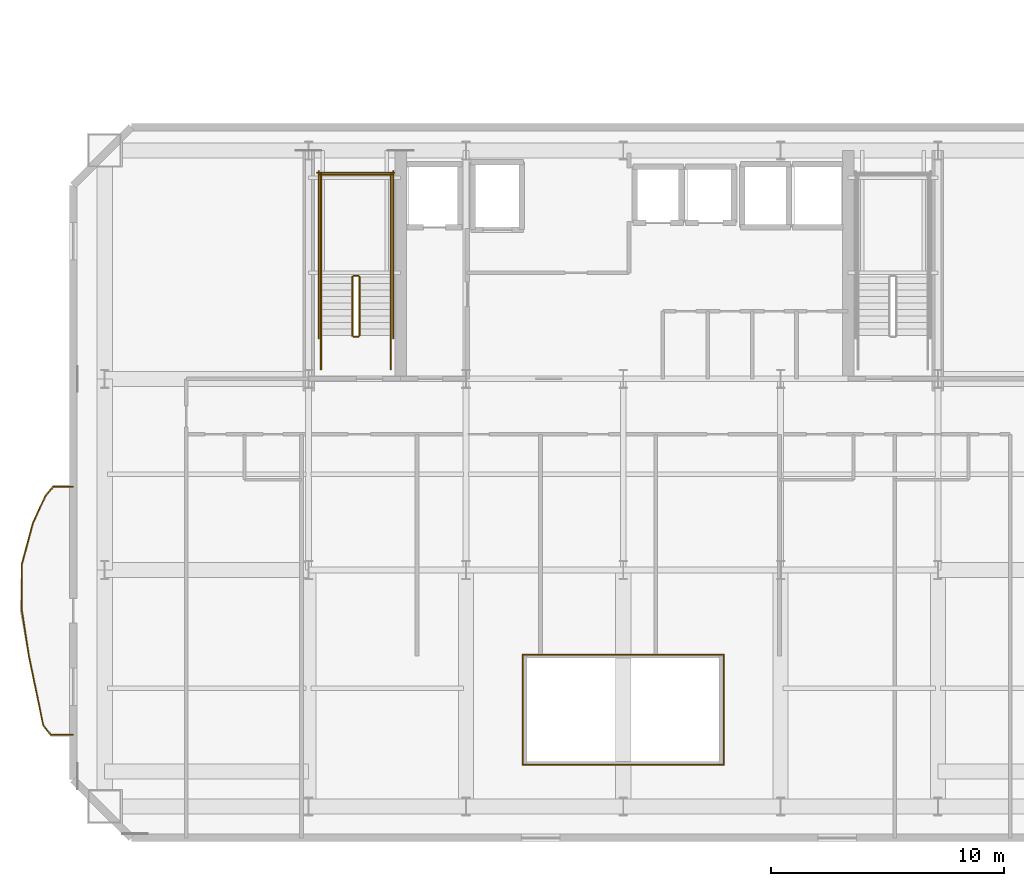
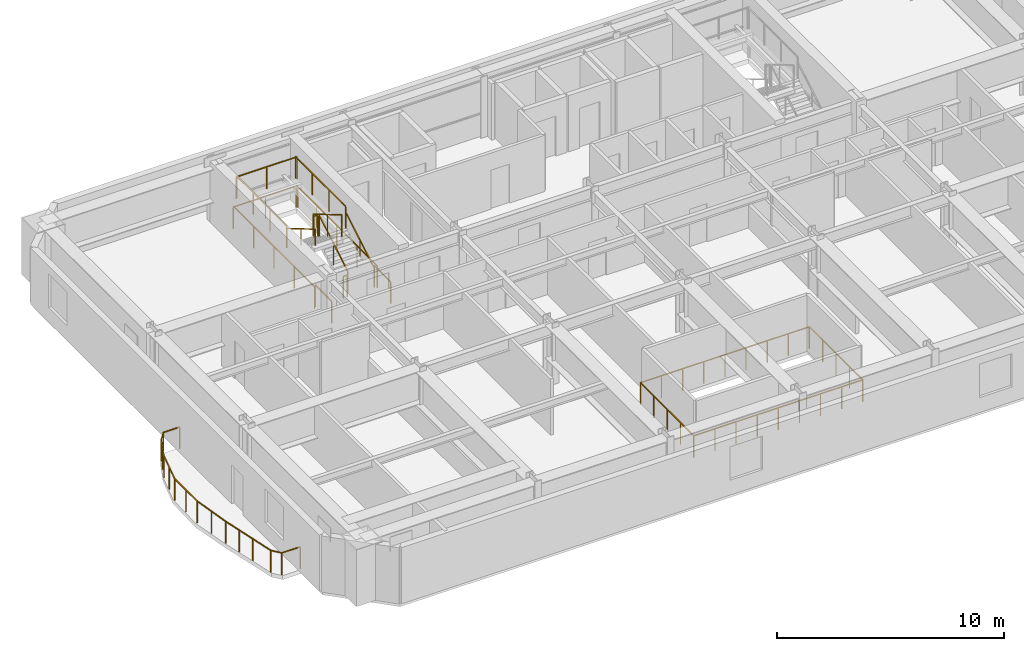
# One storey, part 12 of 15: 28 railings.
"""IFC4 building model written with IfcOpenShell, lengths in metres."""

from ifc_helpers import new_model, si_unit, direction, frame, origin, origin_2d, place, context, subcontext, project, spatial, rectangle, extrude, material, type_object, element, save


model = new_model("IFC4")

# Units and contexts
model_context = context("Model", 3, precision=1e-05, world=origin(), true_north=direction((0.0, 1.0)))
body_context = subcontext(model_context, "Body", "Model", "MODEL_VIEW")
ifc_project = project(units=[si_unit("LENGTHUNIT", "METRE"), si_unit("AREAUNIT", "SQUARE_METRE"), si_unit("VOLUMEUNIT", "CUBIC_METRE"), si_unit("PLANEANGLEUNIT", "RADIAN"), si_unit("MASSUNIT", "GRAM", prefix="KILO")], contexts=[model_context])

# Site, building, storey
site_placement = place(None, origin())
site = spatial("IfcSite", under=ifc_project, at=site_placement, CompositionType="ELEMENT")
building_placement = place(site_placement, origin())
building = spatial("IfcBuilding", under=site, at=building_placement, Name="Haevon Station Towers", CompositionType="ELEMENT")
storey_placement = place(building_placement, frame((0.0, 0.0, 109.800048828125)))
storey = spatial("IfcBuildingStorey", under=building, at=storey_placement, Name="L29", CompositionType="ELEMENT", Elevation=109.800048828125)

# Railings
ifc_material = material(Name="Steel S355", Category="steel")
railing_type_1 = type_object("IfcRailingType", Name="BAL-ATR1200", PredefinedType="BALUSTRADE", material=ifc_material)
railing_1_placement = place(storey_placement, frame((33.19482421875, 21.642333984375, 0.0)))
element("IfcRailing", 1, at=railing_1_placement, inside=storey, type_object=railing_type_1, Name="L29 Atrium Void Balustrade 1", PredefinedType="BALUSTRADE", context=body_context, shape_type="SweptSolid", body=[
    extrude(rectangle(XDim=0.048095703125, YDim=0.048095703125, at=origin_2d()), frame((0.0, 0.0, 1.17578125), z_axis=(1.0, 0.0, 0.0), x_axis=(0.0, 1.0, 0.0)), (0.0, 0.0, 1.0), 8.6103515625),
    extrude(rectangle(XDim=0.0419921875, YDim=0.0419921875, at=origin_2d()), origin(), (0.0, 0.0, 1.0), 1.15185546875),
    extrude(rectangle(XDim=0.0419921875, YDim=0.0419921875, at=origin_2d()), frame((1.076171875, 0.0, 0.0)), (0.0, 0.0, 1.0), 1.15185546875),
    extrude(rectangle(XDim=0.0419921875, YDim=0.0419921875, at=origin_2d()), frame((2.152587890625, 0.0, 0.0)), (0.0, 0.0, 1.0), 1.15185546875),
    extrude(rectangle(XDim=0.0419921875, YDim=0.0419921875, at=origin_2d()), frame((3.22900390625, 0.0, 0.0)), (0.0, 0.0, 1.0), 1.15185546875),
    extrude(rectangle(XDim=0.0419921875, YDim=0.0419921875, at=origin_2d()), frame((4.30517578125, 0.0, 0.0)), (0.0, 0.0, 1.0), 1.15185546875),
    extrude(rectangle(XDim=0.0419921875, YDim=0.0419921875, at=origin_2d()), frame((5.38134765625, 0.0, 0.0)), (0.0, 0.0, 1.0), 1.15185546875),
    extrude(rectangle(XDim=0.0419921875, YDim=0.0419921875, at=origin_2d()), frame((6.457763671875, 0.0, 0.0)), (0.0, 0.0, 1.0), 1.15185546875),
    extrude(rectangle(XDim=0.0419921875, YDim=0.0419921875, at=origin_2d()), frame((7.5341796875, 0.0, 0.0)), (0.0, 0.0, 1.0), 1.15185546875),
    extrude(rectangle(XDim=0.0419921875, YDim=0.0419921875, at=origin_2d()), frame((8.6103515625, 0.0, 0.0)), (0.0, 0.0, 1.0), 1.15185546875),
])
railing_2_placement = place(storey_placement, frame((41.80517578125, 21.642333984375, 0.0)))
element("IfcRailing", 2, at=railing_2_placement, inside=storey, type_object=railing_type_1, Name="L29 Atrium Void Balustrade 2", PredefinedType="BALUSTRADE", context=body_context, shape_type="SweptSolid", body=[
    extrude(rectangle(XDim=0.048095703125, YDim=0.048095703125, at=origin_2d()), frame((0.0, 0.0, 1.17578125), z_axis=(0.0, 1.0, 0.0), x_axis=(-1.0, 0.0, 0.0)), (0.0, 0.0, 1.0), 4.71533203125),
    extrude(rectangle(XDim=0.0419921875, YDim=0.0419921875, at=origin_2d()), origin(), (0.0, 0.0, 1.0), 1.15185546875),
    extrude(rectangle(XDim=0.0419921875, YDim=0.0419921875, at=origin_2d()), frame((0.0, 1.1787109375, 0.0)), (0.0, 0.0, 1.0), 1.15185546875),
    extrude(rectangle(XDim=0.0419921875, YDim=0.0419921875, at=origin_2d()), frame((0.0, 2.357666015625, 0.0)), (0.0, 0.0, 1.0), 1.15185546875),
    extrude(rectangle(XDim=0.0419921875, YDim=0.0419921875, at=origin_2d()), frame((0.0, 3.53662109375, 0.0)), (0.0, 0.0, 1.0), 1.15185546875),
    extrude(rectangle(XDim=0.0419921875, YDim=0.0419921875, at=origin_2d()), frame((0.0, 4.71533203125, 0.0)), (0.0, 0.0, 1.0), 1.15185546875),
])
railing_3_placement = place(storey_placement, frame((41.80517578125, 26.357666015625, 0.0)))
element("IfcRailing", 3, at=railing_3_placement, inside=storey, type_object=railing_type_1, Name="L29 Atrium Void Balustrade 3", PredefinedType="BALUSTRADE", context=body_context, shape_type="SweptSolid", body=[
    extrude(rectangle(XDim=0.048095703125, YDim=0.048095703125, at=origin_2d()), frame((0.0, 0.0, 1.17578125), z_axis=(-1.0, 0.0, 0.0), x_axis=(0.0, -1.0, 0.0)), (0.0, 0.0, 1.0), 8.6103515625),
    extrude(rectangle(XDim=0.0419921875, YDim=0.0419921875, at=origin_2d()), origin(), (0.0, 0.0, 1.0), 1.15185546875),
    extrude(rectangle(XDim=0.0419921875, YDim=0.0419921875, at=origin_2d()), frame((-1.076171875, 0.0, 0.0)), (0.0, 0.0, 1.0), 1.15185546875),
    extrude(rectangle(XDim=0.0419921875, YDim=0.0419921875, at=origin_2d()), frame((-2.152587890625, 0.0, 0.0)), (0.0, 0.0, 1.0), 1.15185546875),
    extrude(rectangle(XDim=0.0419921875, YDim=0.0419921875, at=origin_2d()), frame((-3.22900390625, 0.0, 0.0)), (0.0, 0.0, 1.0), 1.15185546875),
    extrude(rectangle(XDim=0.0419921875, YDim=0.0419921875, at=origin_2d()), frame((-4.30517578125, 0.0, 0.0)), (0.0, 0.0, 1.0), 1.15185546875),
    extrude(rectangle(XDim=0.0419921875, YDim=0.0419921875, at=origin_2d()), frame((-5.38134765625, 0.0, 0.0)), (0.0, 0.0, 1.0), 1.15185546875),
    extrude(rectangle(XDim=0.0419921875, YDim=0.0419921875, at=origin_2d()), frame((-6.457763671875, 0.0, 0.0)), (0.0, 0.0, 1.0), 1.15185546875),
    extrude(rectangle(XDim=0.0419921875, YDim=0.0419921875, at=origin_2d()), frame((-7.5341796875, 0.0, 0.0)), (0.0, 0.0, 1.0), 1.15185546875),
    extrude(rectangle(XDim=0.0419921875, YDim=0.0419921875, at=origin_2d()), frame((-8.6103515625, 0.0, 0.0)), (0.0, 0.0, 1.0), 1.15185546875),
])
railing_4_placement = place(storey_placement, frame((33.19482421875, 26.357666015625, 0.0)))
element("IfcRailing", 4, at=railing_4_placement, inside=storey, type_object=railing_type_1, Name="L29 Atrium Void Balustrade 4", PredefinedType="BALUSTRADE", context=body_context, shape_type="SweptSolid", body=[
    extrude(rectangle(XDim=0.048095703125, YDim=0.048095703125, at=origin_2d()), frame((0.0, 0.0, 1.17578125), z_axis=(0.0, -1.0, 0.0), x_axis=(1.0, 0.0, 0.0)), (0.0, 0.0, 1.0), 4.71533203125),
    extrude(rectangle(XDim=0.0419921875, YDim=0.0419921875, at=origin_2d()), origin(), (0.0, 0.0, 1.0), 1.15185546875),
    extrude(rectangle(XDim=0.0419921875, YDim=0.0419921875, at=origin_2d()), frame((0.0, -1.1787109375, 0.0)), (0.0, 0.0, 1.0), 1.15185546875),
    extrude(rectangle(XDim=0.0419921875, YDim=0.0419921875, at=origin_2d()), frame((0.0, -2.357666015625, 0.0)), (0.0, 0.0, 1.0), 1.15185546875),
    extrude(rectangle(XDim=0.0419921875, YDim=0.0419921875, at=origin_2d()), frame((0.0, -3.53662109375, 0.0)), (0.0, 0.0, 1.0), 1.15185546875),
    extrude(rectangle(XDim=0.0419921875, YDim=0.0419921875, at=origin_2d()), frame((0.0, -4.71533203125, 0.0)), (0.0, 0.0, 1.0), 1.15185546875),
])
railing_type_2 = type_object("IfcRailingType", Name="GRD-EXT1200", PredefinedType="GUARDRAIL", material=ifc_material)
railing_5_placement = place(storey_placement, frame((13.876708984375, 33.572021484375, 0.0)))
element("IfcRailing", 5, at=railing_5_placement, inside=storey, type_object=railing_type_2, Name="L29 Perimeter Guardrail 1", PredefinedType="GUARDRAIL", context=body_context, shape_type="SweptSolid", body=[
    extrude(rectangle(XDim=0.048095703125, YDim=0.048095703125, at=origin_2d()), frame((0.0, 0.0, 1.17578125), z_axis=(-0.999997919967, -0.002039622797, 0.0), x_axis=(0.002039622797, -0.999997919967, 0.0)), (0.0, 0.0, 1.0), 0.837890625),
    extrude(rectangle(XDim=0.0419921875, YDim=0.0419921875, at=origin_2d()), origin(), (0.0, 0.0, 1.0), 1.15185546875),
    extrude(rectangle(XDim=0.0419921875, YDim=0.0419921875, at=origin_2d()), frame((-0.837890625, -0.001708984375, 0.0)), (0.0, 0.0, 1.0), 1.15185546875),
])
railing_6_placement = place(storey_placement, frame((13.038818359375, 33.5703125, 0.0)))
element("IfcRailing", 6, at=railing_6_placement, inside=storey, type_object=railing_type_2, Name="L29 Perimeter Guardrail 2", PredefinedType="GUARDRAIL", context=body_context, shape_type="SweptSolid", body=[
    extrude(rectangle(XDim=0.048095703125, YDim=0.048095703125, at=origin_2d()), frame((0.0, 0.0, 1.17578125), z_axis=(-0.639870328751, -0.768482896611, 0.0), x_axis=(0.768482896611, -0.639870328751, 0.0)), (0.0, 0.0, 1.0), 0.535400390625),
    extrude(rectangle(XDim=0.0419921875, YDim=0.0419921875, at=origin_2d()), origin(), (0.0, 0.0, 1.0), 1.15185546875),
    extrude(rectangle(XDim=0.0419921875, YDim=0.0419921875, at=origin_2d()), frame((-0.342529296875, -0.411376953125, 0.0)), (0.0, 0.0, 1.0), 1.15185546875),
])
railing_7_placement = place(storey_placement, frame((12.6962890625, 33.158935546875, 0.0)))
element("IfcRailing", 7, at=railing_7_placement, inside=storey, type_object=railing_type_2, Name="L29 Perimeter Guardrail 3", PredefinedType="GUARDRAIL", context=body_context, shape_type="SweptSolid", body=[
    extrude(rectangle(XDim=0.048095703125, YDim=0.048095703125, at=origin_2d()), frame((0.0, 0.0, 1.17578125), z_axis=(-0.415661077418, -0.909519581273, 0.0), x_axis=(0.909519581273, -0.415661077418, 0.0)), (0.0, 0.0, 1.0), 1.286376953125),
    extrude(rectangle(XDim=0.0419921875, YDim=0.0419921875, at=origin_2d()), origin(), (0.0, 0.0, 1.0), 1.15185546875),
    extrude(rectangle(XDim=0.0419921875, YDim=0.0419921875, at=origin_2d()), frame((-0.267333984375, -0.5849609375, 0.0)), (0.0, 0.0, 1.0), 1.15185546875),
    extrude(rectangle(XDim=0.0419921875, YDim=0.0419921875, at=origin_2d()), frame((-0.53466796875, -1.169921875, 0.0)), (0.0, 0.0, 1.0), 1.15185546875),
])
railing_8_placement = place(storey_placement, frame((12.16162109375, 31.989013671875, 0.0)))
element("IfcRailing", 8, at=railing_8_placement, inside=storey, type_object=railing_type_2, Name="L29 Perimeter Guardrail 4", PredefinedType="GUARDRAIL", context=body_context, shape_type="SweptSolid", body=[
    extrude(rectangle(XDim=0.048095703125, YDim=0.048095703125, at=origin_2d()), frame((0.0, 0.0, 1.17578125), z_axis=(-0.257140906123, -0.966373920591, 0.0), x_axis=(0.966373920591, -0.257140906123, 0.0)), (0.0, 0.0, 1.0), 1.805908203125),
    extrude(rectangle(XDim=0.0419921875, YDim=0.0419921875, at=origin_2d()), origin(), (0.0, 0.0, 1.0), 1.15185546875),
    extrude(rectangle(XDim=0.0419921875, YDim=0.0419921875, at=origin_2d()), frame((-0.232177734375, -0.87255859375, 0.0)), (0.0, 0.0, 1.0), 1.15185546875),
    extrude(rectangle(XDim=0.0419921875, YDim=0.0419921875, at=origin_2d()), frame((-0.46435546875, -1.7451171875, 0.0)), (0.0, 0.0, 1.0), 1.15185546875),
])
railing_9_placement = place(storey_placement, frame((11.697265625, 30.243896484375, 0.0)))
element("IfcRailing", 9, at=railing_9_placement, inside=storey, type_object=railing_type_2, Name="L29 Perimeter Guardrail 5", PredefinedType="GUARDRAIL", context=body_context, shape_type="SweptSolid", body=[
    extrude(rectangle(XDim=0.048095703125, YDim=0.048095703125, at=origin_2d()), frame((0.0, 0.0, 1.17578125), z_axis=(-0.000857107558, -0.999999632683, 0.0), x_axis=(0.999999632683, -0.000857107558, 0.0)), (0.0, 0.0, 1.0), 1.993896484375),
    extrude(rectangle(XDim=0.0419921875, YDim=0.0419921875, at=origin_2d()), origin(), (0.0, 0.0, 1.0), 1.15185546875),
    extrude(rectangle(XDim=0.0419921875, YDim=0.0419921875, at=origin_2d()), frame((-0.0009765625, -0.9970703125, 0.0)), (0.0, 0.0, 1.0), 1.15185546875),
    extrude(rectangle(XDim=0.0419921875, YDim=0.0419921875, at=origin_2d()), frame((-0.001708984375, -1.993896484375, 0.0)), (0.0, 0.0, 1.0), 1.15185546875),
])
railing_10_placement = place(storey_placement, frame((11.695556640625, 28.25, 0.0)))
element("IfcRailing", 10, at=railing_10_placement, inside=storey, type_object=railing_type_2, Name="L29 Perimeter Guardrail 6", PredefinedType="GUARDRAIL", context=body_context, shape_type="SweptSolid", body=[
    extrude(rectangle(XDim=0.048095703125, YDim=0.048095703125, at=origin_2d()), frame((0.0, 0.0, 1.17578125), z_axis=(0.153359781656, -0.988170419194, 0.0), x_axis=(0.988170419194, 0.153359781656, 0.0)), (0.0, 0.0, 1.0), 2.013916015625),
    extrude(rectangle(XDim=0.0419921875, YDim=0.0419921875, at=origin_2d()), origin(), (0.0, 0.0, 1.0), 1.15185546875),
    extrude(rectangle(XDim=0.0419921875, YDim=0.0419921875, at=origin_2d()), frame((0.154296875, -0.9951171875, 0.0)), (0.0, 0.0, 1.0), 1.15185546875),
    extrude(rectangle(XDim=0.0419921875, YDim=0.0419921875, at=origin_2d()), frame((0.308837890625, -1.989990234375, 0.0)), (0.0, 0.0, 1.0), 1.15185546875),
])
railing_11_placement = place(storey_placement, frame((12.00439453125, 26.260009765625, 0.0)))
element("IfcRailing", 11, at=railing_11_placement, inside=storey, type_object=railing_type_2, Name="L29 Perimeter Guardrail 7", PredefinedType="GUARDRAIL", context=body_context, shape_type="SweptSolid", body=[
    extrude(rectangle(XDim=0.048095703125, YDim=0.048095703125, at=origin_2d()), frame((0.0, 0.0, 1.17578125), z_axis=(0.203550270134, -0.979064496103, 0.0), x_axis=(0.979064496103, 0.203550270134, 0.0)), (0.0, 0.0, 1.0), 1.785888671875),
    extrude(rectangle(XDim=0.0419921875, YDim=0.0419921875, at=origin_2d()), origin(), (0.0, 0.0, 1.0), 1.15185546875),
    extrude(rectangle(XDim=0.0419921875, YDim=0.0419921875, at=origin_2d()), frame((0.181640625, -0.874267578125, 0.0)), (0.0, 0.0, 1.0), 1.15185546875),
    extrude(rectangle(XDim=0.0419921875, YDim=0.0419921875, at=origin_2d()), frame((0.363525390625, -1.74853515625, 0.0)), (0.0, 0.0, 1.0), 1.15185546875),
])
railing_12_placement = place(storey_placement, frame((12.367919921875, 24.511474609375, 0.0)))
element("IfcRailing", 12, at=railing_12_placement, inside=storey, type_object=railing_type_2, Name="L29 Perimeter Guardrail 8", PredefinedType="GUARDRAIL", context=body_context, shape_type="SweptSolid", body=[
    extrude(rectangle(XDim=0.048095703125, YDim=0.048095703125, at=origin_2d()), frame((0.0, 0.0, 1.17578125), z_axis=(0.202044874071, -0.979376265213, 0.0), x_axis=(0.979376265213, 0.202044874071, 0.0)), (0.0, 0.0, 1.0), 1.195068359375),
    extrude(rectangle(XDim=0.0419921875, YDim=0.0419921875, at=origin_2d()), origin(), (0.0, 0.0, 1.0), 1.15185546875),
    extrude(rectangle(XDim=0.0419921875, YDim=0.0419921875, at=origin_2d()), frame((0.241455078125, -1.17041015625, 0.0)), (0.0, 0.0, 1.0), 1.15185546875),
])
railing_13_placement = place(storey_placement, frame((12.609375, 23.341064453125, 0.0)))
element("IfcRailing", 13, at=railing_13_placement, inside=storey, type_object=railing_type_2, Name="L29 Perimeter Guardrail 9", PredefinedType="GUARDRAIL", context=body_context, shape_type="SweptSolid", body=[
    extrude(rectangle(XDim=0.048095703125, YDim=0.048095703125, at=origin_2d()), frame((0.0, 0.0, 1.17578125), z_axis=(0.618645401959, -0.785670329486, 0.0), x_axis=(0.785670329486, 0.618645401959, 0.0)), (0.0, 0.0, 1.0), 0.523193359375),
    extrude(rectangle(XDim=0.0419921875, YDim=0.0419921875, at=origin_2d()), origin(), (0.0, 0.0, 1.0), 1.15185546875),
    extrude(rectangle(XDim=0.0419921875, YDim=0.0419921875, at=origin_2d()), frame((0.32373046875, -0.4111328125, 0.0)), (0.0, 0.0, 1.0), 1.15185546875),
])
railing_14_placement = place(storey_placement, frame((12.93310546875, 22.929931640625, 0.0)))
element("IfcRailing", 14, at=railing_14_placement, inside=storey, type_object=railing_type_2, Name="L29 Perimeter Guardrail 10", PredefinedType="GUARDRAIL", context=body_context, shape_type="SweptSolid", body=[
    extrude(rectangle(XDim=0.048095703125, YDim=0.048095703125, at=origin_2d()), frame((0.0, 0.0, 1.17578125), z_axis=(0.999997857851, -0.002069853263, 0.0), x_axis=(0.002069853263, 0.999997857851, 0.0)), (0.0, 0.0, 1.0), 0.943603515625),
    extrude(rectangle(XDim=0.0419921875, YDim=0.0419921875, at=origin_2d()), origin(), (0.0, 0.0, 1.0), 1.15185546875),
    extrude(rectangle(XDim=0.0419921875, YDim=0.0419921875, at=origin_2d()), frame((0.943603515625, -0.001953125, 0.0)), (0.0, 0.0, 1.0), 1.15185546875),
])
railing_type_3 = type_object("IfcRailingType", Name="GRD-STR1200", PredefinedType="GUARDRAIL", material=ifc_material)
railing_15_placement = place(storey_placement, frame((26.179931640625, 40.050048828125, 0.1650390625)))
element("IfcRailing", 15, at=railing_15_placement, inside=storey, type_object=railing_type_3, Name="L29 ST1 Stair Guard 1", PredefinedType="GUARDRAIL", context=body_context, shape_type="SweptSolid", body=[
    extrude(rectangle(XDim=0.048095703125, YDim=0.048095703125, at=origin_2d()), frame((0.0, 0.0, 1.17578125), z_axis=(0.0, 0.861560626758, 0.507654692109), x_axis=(-1.0, 0.0, 0.0)), (0.0, 0.0, 1.0), 2.925048828125),
    extrude(rectangle(XDim=0.0419921875, YDim=0.0419921875, at=origin_2d()), origin(), (0.0, 0.0, 1.0), 1.15185546875),
    extrude(rectangle(XDim=0.0419921875, YDim=0.0419921875, at=origin_2d()), frame((0.0, 1.260009765625, 0.742431640625)), (0.0, 0.0, 1.0), 1.15185546875),
    extrude(rectangle(XDim=0.0419921875, YDim=0.0419921875, at=origin_2d()), frame((0.0, 2.52001953125, 1.48486328125)), (0.0, 0.0, 1.0), 1.15185546875),
])
railing_16_placement = place(storey_placement, frame((26.1298828125, 42.6201171875, 1.64990234375)))
element("IfcRailing", 16, at=railing_16_placement, inside=storey, type_object=railing_type_3, Name="L29 ST1 Stair Guard 2", PredefinedType="GUARDRAIL", context=body_context, shape_type="SweptSolid", body=[
    extrude(rectangle(XDim=0.048095703125, YDim=0.048095703125, at=origin_2d()), frame((0.0, 0.0, 1.17578125), z_axis=(-1.0, 0.0, 0.0), x_axis=(0.0, -1.0, 0.0)), (0.0, 0.0, 1.0), 0.199951171875),
    extrude(rectangle(XDim=0.0419921875, YDim=0.0419921875, at=origin_2d()), origin(), (0.0, 0.0, 1.0), 1.15185546875),
    extrude(rectangle(XDim=0.0419921875, YDim=0.0419921875, at=origin_2d()), frame((-0.199951171875, 0.0, 0.0)), (0.0, 0.0, 1.0), 1.15185546875),
])
for number, where, name in (
    (17, (27.530029296875, 42.570068359375, 1.64990234375), "L29 ST1 Stair Guard 3"),
    (18, (24.530029296875, 42.570068359375, 1.64990234375), "L29 ST1 Stair Guard 4"),
):
    element("IfcRailing", number, at=place(storey_placement, frame(where)), inside=storey, type_object=railing_type_3, Name=name, PredefinedType="GUARDRAIL", context=body_context, shape_type="SweptSolid", body=[
        extrude(rectangle(XDim=0.048095703125, YDim=0.048095703125, at=origin_2d()), frame((0.0, 0.0, 1.17578125), z_axis=(0.0, 1.0, 0.0), x_axis=(-1.0, 0.0, 0.0)), (0.0, 0.0, 1.0), 4.429931640625),
        extrude(rectangle(XDim=0.0419921875, YDim=0.0419921875, at=origin_2d()), origin(), (0.0, 0.0, 1.0), 1.15185546875),
        extrude(rectangle(XDim=0.0419921875, YDim=0.0419921875, at=origin_2d()), frame((0.0, 1.4765625, 0.0)), (0.0, 0.0, 1.0), 1.15185546875),
        extrude(rectangle(XDim=0.0419921875, YDim=0.0419921875, at=origin_2d()), frame((0.0, 2.953369140625, 0.0)), (0.0, 0.0, 1.0), 1.15185546875),
        extrude(rectangle(XDim=0.0419921875, YDim=0.0419921875, at=origin_2d()), frame((0.0, 4.429931640625, 0.0)), (0.0, 0.0, 1.0), 1.15185546875),
    ])
railing_17_placement = place(storey_placement, frame((27.580078125, 46.949951171875, 1.64990234375)))
element("IfcRailing", 19, at=railing_17_placement, inside=storey, type_object=railing_type_3, Name="L29 ST1 Stair Guard 5", PredefinedType="GUARDRAIL", context=body_context, shape_type="SweptSolid", body=[
    extrude(rectangle(XDim=0.048095703125, YDim=0.048095703125, at=origin_2d()), frame((0.0, 0.0, 1.17578125), z_axis=(-1.0, 0.0, 0.0), x_axis=(0.0, -1.0, 0.0)), (0.0, 0.0, 1.0), 3.10009765625),
    extrude(rectangle(XDim=0.0419921875, YDim=0.0419921875, at=origin_2d()), origin(), (0.0, 0.0, 1.0), 1.15185546875),
    extrude(rectangle(XDim=0.0419921875, YDim=0.0419921875, at=origin_2d()), frame((-1.550048828125, 0.0, 0.0)), (0.0, 0.0, 1.0), 1.15185546875),
    extrude(rectangle(XDim=0.0419921875, YDim=0.0419921875, at=origin_2d()), frame((-3.10009765625, 0.0, 0.0)), (0.0, 0.0, 1.0), 1.15185546875),
])
railing_18_placement = place(storey_placement, frame((25.8798828125, 42.570068359375, 1.81494140625)))
element("IfcRailing", 20, at=railing_18_placement, inside=storey, type_object=railing_type_3, Name="L29 ST1 Stair Guard 6", PredefinedType="GUARDRAIL", context=body_context, shape_type="SweptSolid", body=[
    extrude(rectangle(XDim=0.048095703125, YDim=0.048095703125, at=origin_2d()), frame((0.0, 0.0, 1.17578125), z_axis=(0.0, -0.86152411907, 0.507716645641), x_axis=(1.0, 0.0, 0.0)), (0.0, 0.0, 1.0), 2.925048828125),
    extrude(rectangle(XDim=0.0419921875, YDim=0.0419921875, at=origin_2d()), origin(), (0.0, 0.0, 1.0), 1.15185546875),
    extrude(rectangle(XDim=0.0419921875, YDim=0.0419921875, at=origin_2d()), frame((0.0, -1.260009765625, 0.74267578125)), (0.0, 0.0, 1.0), 1.15185546875),
    extrude(rectangle(XDim=0.0419921875, YDim=0.0419921875, at=origin_2d()), frame((0.0, -2.52001953125, 1.485107421875)), (0.0, 0.0, 1.0), 1.15185546875),
])
railing_19_placement = place(storey_placement, frame((26.1298828125, 40.0, 0.0)))
element("IfcRailing", 21, at=railing_19_placement, inside=storey, type_object=railing_type_3, Name="L29 ST1 Stair Guard 7", PredefinedType="GUARDRAIL", context=body_context, shape_type="SweptSolid", body=[
    extrude(rectangle(XDim=0.048095703125, YDim=0.048095703125, at=origin_2d()), frame((0.0, 0.0, 1.17578125), z_axis=(-1.0, 0.0, 0.0), x_axis=(0.0, -1.0, 0.0)), (0.0, 0.0, 1.0), 0.199951171875),
    extrude(rectangle(XDim=0.0419921875, YDim=0.0419921875, at=origin_2d()), origin(), (0.0, 0.0, 1.0), 1.15185546875),
    extrude(rectangle(XDim=0.0419921875, YDim=0.0419921875, at=origin_2d()), frame((-0.199951171875, 0.0, 0.0)), (0.0, 0.0, 1.0), 1.15185546875),
])
for number, where, name in (
    (22, (27.530029296875, 38.60009765625, 0.0), "L29 ST1 Stair Guard 8"),
    (23, (24.530029296875, 38.60009765625, 0.0), "L29 ST1 Stair Guard 9"),
):
    element("IfcRailing", number, at=place(storey_placement, frame(where)), inside=storey, type_object=railing_type_3, Name=name, PredefinedType="GUARDRAIL", context=body_context, shape_type="SweptSolid", body=[
        extrude(rectangle(XDim=0.048095703125, YDim=0.048095703125, at=origin_2d()), frame((0.0, 0.0, 1.17578125), z_axis=(0.0, 1.0, 0.0), x_axis=(-1.0, 0.0, 0.0)), (0.0, 0.0, 1.0), 1.449951171875),
        extrude(rectangle(XDim=0.0419921875, YDim=0.0419921875, at=origin_2d()), origin(), (0.0, 0.0, 1.0), 1.15185546875),
        extrude(rectangle(XDim=0.0419921875, YDim=0.0419921875, at=origin_2d()), frame((0.0, 1.449951171875, 0.0)), (0.0, 0.0, 1.0), 1.15185546875),
    ])
for number, where, name in (
    (24, (27.6298828125, 39.949951171875, 0.0), "L29 ST1 Stair Guard 10"),
    (25, (24.429931640625, 39.949951171875, 0.0), "L29 ST1 Stair Guard 11"),
):
    element("IfcRailing", number, at=place(storey_placement, frame(where)), inside=storey, type_object=railing_type_3, Name=name, PredefinedType="GUARDRAIL", context=body_context, shape_type="SweptSolid", body=[
        extrude(rectangle(XDim=0.048095703125, YDim=0.048095703125, at=origin_2d()), frame((0.0, 0.0, 1.17578125), z_axis=(0.0, 1.0, 0.0), x_axis=(-1.0, 0.0, 0.0)), (0.0, 0.0, 1.0), 7.150146484375),
        extrude(rectangle(XDim=0.0419921875, YDim=0.0419921875, at=origin_2d()), origin(), (0.0, 0.0, 1.0), 1.15185546875),
        extrude(rectangle(XDim=0.0419921875, YDim=0.0419921875, at=origin_2d()), frame((0.0, 1.78759765625, 0.0)), (0.0, 0.0, 1.0), 1.15185546875),
        extrude(rectangle(XDim=0.0419921875, YDim=0.0419921875, at=origin_2d()), frame((0.0, 3.5751953125, 0.0)), (0.0, 0.0, 1.0), 1.15185546875),
        extrude(rectangle(XDim=0.0419921875, YDim=0.0419921875, at=origin_2d()), frame((0.0, 5.362548828125, 0.0)), (0.0, 0.0, 1.0), 1.15185546875),
        extrude(rectangle(XDim=0.0419921875, YDim=0.0419921875, at=origin_2d()), frame((0.0, 7.150146484375, 0.0)), (0.0, 0.0, 1.0), 1.15185546875),
    ])
railing_20_placement = place(storey_placement, frame((27.679931640625, 47.050048828125, 0.0)))
element("IfcRailing", 26, at=railing_20_placement, inside=storey, type_object=railing_type_3, Name="L29 ST1 Stair Guard 12", PredefinedType="GUARDRAIL", context=body_context, shape_type="SweptSolid", body=[
    extrude(rectangle(XDim=0.048095703125, YDim=0.048095703125, at=origin_2d()), frame((0.0, 0.0, 1.17578125), z_axis=(-1.0, 0.0, 0.0), x_axis=(0.0, -1.0, 0.0)), (0.0, 0.0, 1.0), 3.300048828125),
    extrude(rectangle(XDim=0.0419921875, YDim=0.0419921875, at=origin_2d()), origin(), (0.0, 0.0, 1.0), 1.15185546875),
    extrude(rectangle(XDim=0.0419921875, YDim=0.0419921875, at=origin_2d()), frame((-1.64990234375, 0.0, 0.0)), (0.0, 0.0, 1.0), 1.15185546875),
    extrude(rectangle(XDim=0.0419921875, YDim=0.0419921875, at=origin_2d()), frame((-3.300048828125, 0.0, 0.0)), (0.0, 0.0, 1.0), 1.15185546875),
])
railing_type_4 = type_object("IfcRailingType", Name="HND-STR900", PredefinedType="HANDRAIL", material=ifc_material)
railing_21_placement = place(storey_placement, frame((27.530029296875, 40.050048828125, 0.1650390625)))
element("IfcRailing", 27, at=railing_21_placement, inside=storey, type_object=railing_type_4, Name="L29 ST1 Stair Handrail 1", PredefinedType="HANDRAIL", context=body_context, shape_type="SweptSolid", body=[
    extrude(rectangle(XDim=0.048095703125, YDim=0.048095703125, at=origin_2d()), frame((0.0, 0.0, 0.8759765625), z_axis=(0.0, 0.861560626758, 0.507654692109), x_axis=(-1.0, 0.0, 0.0)), (0.0, 0.0, 1.0), 2.925048828125),
    extrude(rectangle(XDim=0.0419921875, YDim=0.0419921875, at=origin_2d()), origin(), (0.0, 0.0, 1.0), 0.851806640625),
    extrude(rectangle(XDim=0.0419921875, YDim=0.0419921875, at=origin_2d()), frame((0.0, 1.260009765625, 0.742431640625)), (0.0, 0.0, 1.0), 0.851806640625),
    extrude(rectangle(XDim=0.0419921875, YDim=0.0419921875, at=origin_2d()), frame((0.0, 2.52001953125, 1.48486328125)), (0.0, 0.0, 1.0), 0.851806640625),
])
railing_22_placement = place(storey_placement, frame((24.530029296875, 42.570068359375, 1.81494140625)))
element("IfcRailing", 28, at=railing_22_placement, inside=storey, type_object=railing_type_4, Name="L29 ST1 Stair Handrail 2", PredefinedType="HANDRAIL", context=body_context, shape_type="SweptSolid", body=[
    extrude(rectangle(XDim=0.048095703125, YDim=0.048095703125, at=origin_2d()), frame((0.0, 0.0, 0.8759765625), z_axis=(0.0, -0.86152411907, 0.507716645641), x_axis=(1.0, 0.0, 0.0)), (0.0, 0.0, 1.0), 2.925048828125),
    extrude(rectangle(XDim=0.0419921875, YDim=0.0419921875, at=origin_2d()), origin(), (0.0, 0.0, 1.0), 0.851806640625),
    extrude(rectangle(XDim=0.0419921875, YDim=0.0419921875, at=origin_2d()), frame((0.0, -1.260009765625, 0.74267578125)), (0.0, 0.0, 1.0), 0.851806640625),
    extrude(rectangle(XDim=0.0419921875, YDim=0.0419921875, at=origin_2d()), frame((0.0, -2.52001953125, 1.485107421875)), (0.0, 0.0, 1.0), 0.851806640625),
])

save(model, "model.ifc")
